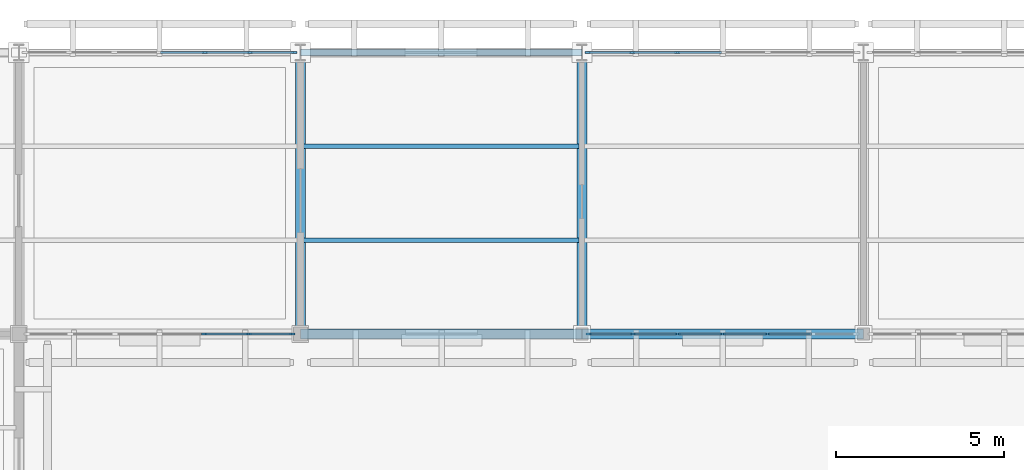
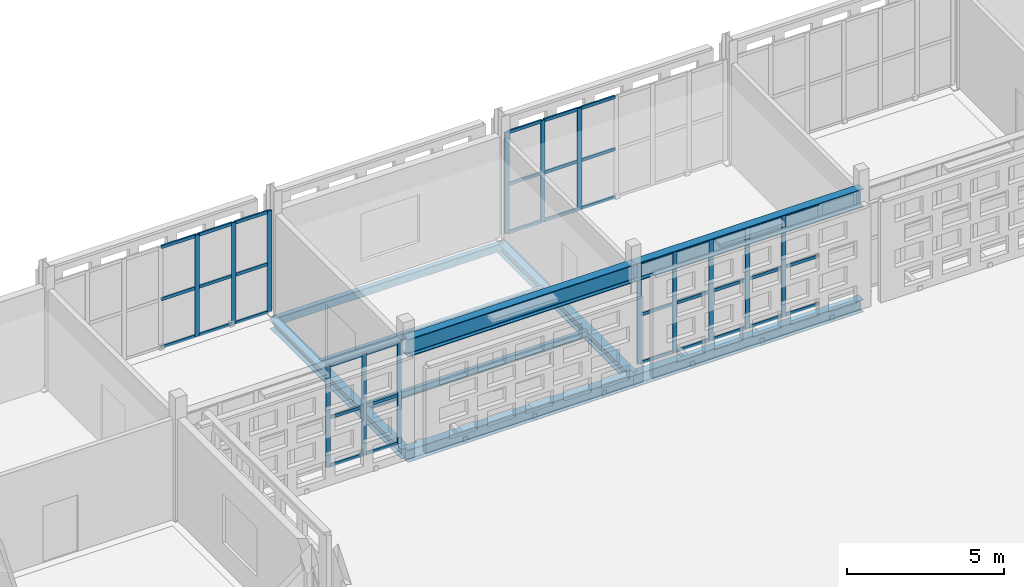
# One storey, part 59 of 203: 53 members, 9 beams, 4 elements without a shape of their own.
"""IFC4 building model written with IfcOpenShell, lengths in metres."""

from ifc_helpers import new_model, si_unit, direction, frame, origin, origin_2d, place, context, subcontext, project, spatial, rectangle, hollow_rectangle, i_section, extrude, material, layer, layer_set, material_profile, profile_set, type_object, element, aggregate, save


model = new_model("IFC4")

# Units and contexts
model_context = context("Model", 3, precision=1e-05, world=origin(), true_north=direction((0.0, 1.0)))
body_context = subcontext(model_context, "Body", "Model", "MODEL_VIEW")
ifc_project = project(units=[si_unit("LENGTHUNIT", "METRE"), si_unit("AREAUNIT", "SQUARE_METRE"), si_unit("VOLUMEUNIT", "CUBIC_METRE"), si_unit("PLANEANGLEUNIT", "RADIAN"), si_unit("MASSUNIT", "GRAM", prefix="KILO")], contexts=[model_context])

# Site, building, storey
site_placement = place(None, origin())
site = spatial("IfcSite", under=ifc_project, at=site_placement, CompositionType="ELEMENT")
building_placement = place(site_placement, origin())
building = spatial("IfcBuilding", under=site, at=building_placement, Name="Varnapada Polytechnic", CompositionType="ELEMENT")
storey_placement = place(building_placement, frame((0.0, 0.0, 4.800048828125)))
storey = spatial("IfcBuildingStorey", under=building, at=storey_placement, Name="L01", CompositionType="ELEMENT", Elevation=4.800048828125)

# Beams
ifc_material_1 = material(Name="Steel S355", Category="steel")
ifc_material_profile_1 = material_profile(ifc_material_1, i_section(OverallWidth=0.300048828125, OverallDepth=0.68994140625, WebThickness=0.014404296875, FlangeThickness=0.027099609375, FilletRadius=0.027099609375, at=origin_2d()), Name="HEA 700")
ifc_profile_set_1 = profile_set([ifc_material_profile_1], Name="Steel S355")
beam_type_1 = type_object("IfcBeamType", Name="Heavy fabrication crane girder CR-03 (HEA 700)", PredefinedType="BEAM", material=ifc_profile_set_1)
beam_1_placement = place(storey_placement, frame((67.199951171875, 117.60009765625, 3.695068359375), z_axis=(1.0, 0.0, 0.0), x_axis=(0.0, 1.0, 0.0)))
element("IfcBeam", 1, at=beam_1_placement, inside=storey, type_object=beam_type_1, Name="Workshop bridge crane runway girder 9-10 line 15", PredefinedType="BEAM", context=body_context, shape_type="SweptSolid", body=[
    extrude(i_section(OverallWidth=0.300048828125, OverallDepth=0.68994140625, WebThickness=0.014404296875, FlangeThickness=0.027099609375, FilletRadius=0.027099609375, at=origin_2d()), origin(), (0.0, 0.0, 1.0), 8.400146484375),
])
beam_2_placement = place(storey_placement, frame((75.60009765625, 117.60009765625, 3.695068359375), z_axis=(1.0, 0.0, 0.0), x_axis=(0.0, 1.0, 0.0)))
element("IfcBeam", 2, at=beam_2_placement, inside=storey, type_object=beam_type_1, Name="Workshop bridge crane runway girder 10-11 line 15", PredefinedType="BEAM", context=body_context, shape_type="SweptSolid", body=[
    extrude(i_section(OverallWidth=0.300048828125, OverallDepth=0.68994140625, WebThickness=0.014404296875, FlangeThickness=0.027099609375, FilletRadius=0.027099609375, at=origin_2d()), origin(), (0.0, 0.0, 1.0), 8.39990234375),
])
ifc_material_profile_2 = material_profile(ifc_material_1, i_section(OverallWidth=0.135009765625, OverallDepth=0.27001953125, WebThickness=0.006591796875, FlangeThickness=0.01025390625, FilletRadius=0.014892578125, at=origin_2d()), Name="IPE 270")
ifc_profile_set_2 = profile_set([ifc_material_profile_2], Name="Steel S355")
beam_type_2 = type_object("IfcBeamType", Name="Mezzanine heavy steel joist SJ-03 (IPE 270)", PredefinedType="JOIST", material=ifc_profile_set_2)
for number, where, z_axis, x_axis, name in (
    (3, (67.280029296875, 120.39990234375, -0.39501953125), (1.0, 0.0, 0.0), (0.0, 1.0, 0.0), "L01 floor joist 9/15.1"),
    (4, (67.280029296875, 123.199951171875, -0.39501953125), (1.0, 0.0, 0.0), (0.0, 1.0, 0.0), "L01 floor joist 9/15.2"),
):
    element("IfcBeam", number, at=place(storey_placement, frame(where, z_axis=z_axis, x_axis=x_axis)), inside=storey, type_object=beam_type_2, Name=name, PredefinedType="JOIST", context=body_context, shape_type="SweptSolid", body=[
        extrude(i_section(OverallWidth=0.135009765625, OverallDepth=0.27001953125, WebThickness=0.006591796875, FlangeThickness=0.01025390625, FilletRadius=0.014892578125, at=origin_2d()), origin(), (0.0, 0.0, 1.0), 8.239990234375),
    ])

# Curtain wall, members
ifc_material_2 = material(Name="Double low-E laminated glass", Category="glass")
ifc_layer = layer(ifc_material_2, 0.159912109375)
ifc_layer_set = layer_set([ifc_layer], Name="Double low-E laminated glass")
curtain_wall_type = type_object("IfcCurtainWallType", Name="Curtain Wall CW-02", PredefinedType="NOTDEFINED", material=ifc_layer_set)
curtain_wall_1_placement = place(storey_placement, origin())
curtain_wall_1 = element("IfcCurtainWall", 5, at=curtain_wall_1_placement, inside=storey, type_object=curtain_wall_type, Name="L01 unitised curtain wall CW-02 (59)", PredefinedType="NOTDEFINED")
ifc_material_3 = material(Name="Anodised aluminium", Category="aluminium")
ifc_material_profile_3 = material_profile(ifc_material_3, rectangle(XDim=0.06005859375, YDim=0.159912109375, at=origin_2d()), Name="ALU M60x160")
ifc_profile_set_3 = profile_set([ifc_material_profile_3], Name="Anodised aluminium")
member_type_1 = type_object("IfcMemberType", Name="Mullion M-01", PredefinedType="MULLION", material=ifc_profile_set_3)
member_1_placement = place(storey_placement, frame((66.9599609375, 117.60009765625, 0.0), z_axis=(0.0, 0.0, 1.0), x_axis=(0.0, -1.0, 0.0)))
member_1 = element("IfcMember", 6, at=member_1_placement, type_object=member_type_1, Name="CW-02 mullion 1", PredefinedType="MULLION", context=body_context, shape_type="SweptSolid", body=[
    extrude(rectangle(XDim=0.06005859375, YDim=0.159912109375, at=origin_2d()), origin(), (0.0, 0.0, 1.0), 3.9599609375),
])
member_2_placement = place(storey_placement, frame((65.659912109375, 117.60009765625, 0.0), z_axis=(0.0, 0.0, 1.0), x_axis=(0.0, -1.0, 0.0)))
member_2 = element("IfcMember", 7, at=member_2_placement, type_object=member_type_1, Name="CW-02 mullion 2", PredefinedType="MULLION", context=body_context, shape_type="SweptSolid", body=[
    extrude(rectangle(XDim=0.06005859375, YDim=0.159912109375, at=origin_2d()), origin(), (0.0, 0.0, 1.0), 3.9599609375),
])
member_3_placement = place(storey_placement, frame((64.330078125, 117.60009765625, 0.0), z_axis=(0.0, 0.0, 1.0), x_axis=(0.0, -1.0, 0.0)))
member_3 = element("IfcMember", 8, at=member_3_placement, type_object=member_type_1, Name="CW-02 mullion 3", PredefinedType="MULLION", context=body_context, shape_type="SweptSolid", body=[
    extrude(rectangle(XDim=0.06005859375, YDim=0.159912109375, at=origin_2d()), origin(), (0.0, 0.0, 1.0), 3.9599609375),
])

curtain_wall_2_placement = place(storey_placement, origin())
curtain_wall_2 = element("IfcCurtainWall", 9, at=curtain_wall_2_placement, inside=storey, type_object=curtain_wall_type, Name="L01 unitised curtain wall CW-02 (60)", PredefinedType="NOTDEFINED")
member_4_placement = place(storey_placement, frame((64.35009765625, 126.0, 0.0), z_axis=(0.0, 0.0, 1.0), x_axis=(0.0, 1.0, 0.0)))
member_4 = element("IfcMember", 10, at=member_4_placement, type_object=member_type_1, Name="CW-02 mullion 5", PredefinedType="MULLION", context=body_context, shape_type="SweptSolid", body=[
    extrude(rectangle(XDim=0.06005859375, YDim=0.159912109375, at=origin_2d()), origin(), (0.0, 0.0, 1.0), 3.9599609375),
])
member_5_placement = place(storey_placement, frame((65.699951171875, 126.0, 0.0), z_axis=(0.0, 0.0, 1.0), x_axis=(0.0, 1.0, 0.0)))
member_5 = element("IfcMember", 11, at=member_5_placement, type_object=member_type_1, Name="CW-02 mullion 6", PredefinedType="MULLION", context=body_context, shape_type="SweptSolid", body=[
    extrude(rectangle(XDim=0.06005859375, YDim=0.159912109375, at=origin_2d()), origin(), (0.0, 0.0, 1.0), 3.9599609375),
])
member_6_placement = place(storey_placement, frame((67.02001953125, 126.0, 0.0), z_axis=(0.0, 0.0, 1.0), x_axis=(0.0, 1.0, 0.0)))
member_6 = element("IfcMember", 12, at=member_6_placement, type_object=member_type_1, Name="CW-02 mullion 7", PredefinedType="MULLION", context=body_context, shape_type="SweptSolid", body=[
    extrude(rectangle(XDim=0.06005859375, YDim=0.159912109375, at=origin_2d()), origin(), (0.0, 0.0, 1.0), 3.9599609375),
])

curtain_wall_3_placement = place(storey_placement, origin())
curtain_wall_3 = element("IfcCurtainWall", 13, at=curtain_wall_3_placement, inside=storey, type_object=curtain_wall_type, Name="L01 unitised curtain wall CW-02 (67)", PredefinedType="NOTDEFINED")
member_7_placement = place(storey_placement, frame((81.139892578125, 117.60009765625, 0.0), z_axis=(0.0, 0.0, 1.0), x_axis=(0.0, -1.0, 0.0)))
member_7 = element("IfcMember", 14, at=member_7_placement, type_object=member_type_1, Name="CW-02 mullion 3", PredefinedType="MULLION", context=body_context, shape_type="SweptSolid", body=[
    extrude(rectangle(XDim=0.06005859375, YDim=0.159912109375, at=origin_2d()), origin(), (0.0, 0.0, 1.0), 3.9599609375),
])
member_8_placement = place(storey_placement, frame((79.800048828125, 117.60009765625, 0.0), z_axis=(0.0, 0.0, 1.0), x_axis=(0.0, -1.0, 0.0)))
member_8 = element("IfcMember", 15, at=member_8_placement, type_object=member_type_1, Name="CW-02 mullion 4", PredefinedType="MULLION", context=body_context, shape_type="SweptSolid", body=[
    extrude(rectangle(XDim=0.06005859375, YDim=0.159912109375, at=origin_2d()), origin(), (0.0, 0.0, 1.0), 3.9599609375),
])
member_9_placement = place(storey_placement, frame((78.4599609375, 117.60009765625, 0.0), z_axis=(0.0, 0.0, 1.0), x_axis=(0.0, -1.0, 0.0)))
member_9 = element("IfcMember", 16, at=member_9_placement, type_object=member_type_1, Name="CW-02 mullion 5", PredefinedType="MULLION", context=body_context, shape_type="SweptSolid", body=[
    extrude(rectangle(XDim=0.06005859375, YDim=0.159912109375, at=origin_2d()), origin(), (0.0, 0.0, 1.0), 3.9599609375),
])
member_10_placement = place(storey_placement, frame((77.1201171875, 117.60009765625, 0.0), z_axis=(0.0, 0.0, 1.0), x_axis=(0.0, -1.0, 0.0)))
member_10 = element("IfcMember", 17, at=member_10_placement, type_object=member_type_1, Name="CW-02 mullion 6", PredefinedType="MULLION", context=body_context, shape_type="SweptSolid", body=[
    extrude(rectangle(XDim=0.06005859375, YDim=0.159912109375, at=origin_2d()), origin(), (0.0, 0.0, 1.0), 3.9599609375),
])
member_11_placement = place(storey_placement, frame((75.81005859375, 117.60009765625, 0.0), z_axis=(0.0, 0.0, 1.0), x_axis=(0.0, -1.0, 0.0)))
member_11 = element("IfcMember", 18, at=member_11_placement, type_object=member_type_1, Name="CW-02 mullion 7", PredefinedType="MULLION", context=body_context, shape_type="SweptSolid", body=[
    extrude(rectangle(XDim=0.06005859375, YDim=0.159912109375, at=origin_2d()), origin(), (0.0, 0.0, 1.0), 3.9599609375),
])

curtain_wall_4_placement = place(storey_placement, origin())
curtain_wall_4 = element("IfcCurtainWall", 19, at=curtain_wall_4_placement, inside=storey, type_object=curtain_wall_type, Name="L01 unitised curtain wall CW-02 (68)", PredefinedType="NOTDEFINED")
member_12_placement = place(storey_placement, frame((75.780029296875, 126.0, 0.0), z_axis=(0.0, 0.0, 1.0), x_axis=(0.0, 1.0, 0.0)))
member_12 = element("IfcMember", 20, at=member_12_placement, type_object=member_type_1, Name="CW-02 mullion 1", PredefinedType="MULLION", context=body_context, shape_type="SweptSolid", body=[
    extrude(rectangle(XDim=0.06005859375, YDim=0.159912109375, at=origin_2d()), origin(), (0.0, 0.0, 1.0), 3.9599609375),
])
member_13_placement = place(storey_placement, frame((77.10009765625, 126.0, 0.0), z_axis=(0.0, 0.0, 1.0), x_axis=(0.0, 1.0, 0.0)))
member_13 = element("IfcMember", 21, at=member_13_placement, type_object=member_type_1, Name="CW-02 mullion 2", PredefinedType="MULLION", context=body_context, shape_type="SweptSolid", body=[
    extrude(rectangle(XDim=0.06005859375, YDim=0.159912109375, at=origin_2d()), origin(), (0.0, 0.0, 1.0), 3.9599609375),
])
member_14_placement = place(storey_placement, frame((78.449951171875, 126.0, 0.0), z_axis=(0.0, 0.0, 1.0), x_axis=(0.0, 1.0, 0.0)))
member_14 = element("IfcMember", 22, at=member_14_placement, type_object=member_type_1, Name="CW-02 mullion 3", PredefinedType="MULLION", context=body_context, shape_type="SweptSolid", body=[
    extrude(rectangle(XDim=0.06005859375, YDim=0.159912109375, at=origin_2d()), origin(), (0.0, 0.0, 1.0), 3.9599609375),
])

# Beams
ifc_material_profile_4 = material_profile(ifc_material_1, i_section(OverallWidth=0.300048828125, OverallDepth=0.389892578125, WebThickness=0.010986328125, FlangeThickness=0.01904296875, FilletRadius=0.027099609375, at=origin_2d()), Name="HEA 400")
ifc_profile_set_4 = profile_set([ifc_material_profile_4], Name="Steel S355")
beam_type_3 = type_object("IfcBeamType", Name="Steel roof primary girder SG-01 (HEA 400)", PredefinedType="BEAM", material=ifc_profile_set_4)
for number, where, z_axis, x_axis, name in (
    (23, (67.199951171875, 117.60009765625, -0.465087890625), (0.0, 1.0, 0.0), (-1.0, 0.0, 0.0), "L01 beam Y 15-16 at X9"),
    (24, (75.60009765625, 117.60009765625, -0.465087890625), (0.0, 1.0, 0.0), (-1.0, 0.0, 0.0), "L01 beam Y 15-16 at X10"),
):
    element("IfcBeam", number, at=place(storey_placement, frame(where, z_axis=z_axis, x_axis=x_axis)), inside=storey, type_object=beam_type_3, Name=name, PredefinedType="BEAM", context=body_context, shape_type="SweptSolid", body=[
        extrude(i_section(OverallWidth=0.300048828125, OverallDepth=0.389892578125, WebThickness=0.010986328125, FlangeThickness=0.01904296875, FilletRadius=0.027099609375, at=origin_2d()), origin(), (0.0, 0.0, 1.0), 8.39990234375),
    ])

# Member
ifc_material_profile_5 = material_profile(ifc_material_3, rectangle(XDim=0.06005859375, YDim=0.1201171875, at=origin_2d()), Name="ALU T60x120")
ifc_profile_set_5 = profile_set([ifc_material_profile_5], Name="Anodised aluminium")
member_type_2 = type_object("IfcMemberType", Name="Transom T-01", PredefinedType="USERDEFINED", material=ifc_profile_set_5)
member_15_placement = place(storey_placement, frame((66.929931640625, 117.60009765625, 0.030029296875), z_axis=(-1.0, 0.0, 0.0), x_axis=(0.0, -1.0, 0.0)))
member_15 = element("IfcMember", 25, at=member_15_placement, type_object=member_type_2, Name="CW-02 transom 1.1", ObjectType="TRANSOM", PredefinedType="USERDEFINED", context=body_context, shape_type="SweptSolid", body=[
    extrude(rectangle(XDim=0.06005859375, YDim=0.1201171875, at=origin_2d()), origin(), (0.0, 0.0, 1.0), 1.239990234375),
])

member_16_placement = place(storey_placement, frame((66.929931640625, 117.60009765625, 1.900634765625), z_axis=(-1.0, 0.0, 0.0), x_axis=(0.0, -1.0, 0.0)))
member_16 = element("IfcMember", 26, at=member_16_placement, type_object=member_type_2, Name="CW-02 transom 1.2", ObjectType="TRANSOM", PredefinedType="USERDEFINED", context=body_context, shape_type="SweptSolid", body=[
    extrude(rectangle(XDim=0.06005859375, YDim=0.1201171875, at=origin_2d()), origin(), (0.0, 0.0, 1.0), 1.239990234375),
])

member_17_placement = place(storey_placement, frame((66.929931640625, 117.60009765625, 3.929931640625), z_axis=(-1.0, 0.0, 0.0), x_axis=(0.0, -1.0, 0.0)))
member_17 = element("IfcMember", 27, at=member_17_placement, type_object=member_type_2, Name="CW-02 transom 1.3", ObjectType="TRANSOM", PredefinedType="USERDEFINED", context=body_context, shape_type="SweptSolid", body=[
    extrude(rectangle(XDim=0.06005859375, YDim=0.1201171875, at=origin_2d()), origin(), (0.0, 0.0, 1.0), 1.239990234375),
])

member_18_placement = place(storey_placement, frame((65.6298828125, 117.60009765625, 0.030029296875), z_axis=(-1.0, 0.0, 0.0), x_axis=(0.0, -1.0, 0.0)))
member_18 = element("IfcMember", 28, at=member_18_placement, type_object=member_type_2, Name="CW-02 transom 2.1", ObjectType="TRANSOM", PredefinedType="USERDEFINED", context=body_context, shape_type="SweptSolid", body=[
    extrude(rectangle(XDim=0.06005859375, YDim=0.1201171875, at=origin_2d()), origin(), (0.0, 0.0, 1.0), 1.269775390625),
])

member_19_placement = place(storey_placement, frame((65.6298828125, 117.60009765625, 1.900634765625), z_axis=(-1.0, 0.0, 0.0), x_axis=(0.0, -1.0, 0.0)))
member_19 = element("IfcMember", 29, at=member_19_placement, type_object=member_type_2, Name="CW-02 transom 2.2", ObjectType="TRANSOM", PredefinedType="USERDEFINED", context=body_context, shape_type="SweptSolid", body=[
    extrude(rectangle(XDim=0.06005859375, YDim=0.1201171875, at=origin_2d()), origin(), (0.0, 0.0, 1.0), 1.269775390625),
])

member_20_placement = place(storey_placement, frame((65.6298828125, 117.60009765625, 3.929931640625), z_axis=(-1.0, 0.0, 0.0), x_axis=(0.0, -1.0, 0.0)))
member_20 = element("IfcMember", 30, at=member_20_placement, type_object=member_type_2, Name="CW-02 transom 2.3", ObjectType="TRANSOM", PredefinedType="USERDEFINED", context=body_context, shape_type="SweptSolid", body=[
    extrude(rectangle(XDim=0.06005859375, YDim=0.1201171875, at=origin_2d()), origin(), (0.0, 0.0, 1.0), 1.269775390625),
])

aggregate(curtain_wall_1, [member_1, member_2, member_3, member_15, member_16, member_17, member_18, member_19, member_20])

member_21_placement = place(storey_placement, frame((63.030029296875, 126.0, 0.030029296875), z_axis=(1.0, 0.0, 0.0), x_axis=(0.0, 1.0, 0.0)))
member_21 = element("IfcMember", 31, at=member_21_placement, type_object=member_type_2, Name="CW-02 transom 4.1", ObjectType="TRANSOM", PredefinedType="USERDEFINED", context=body_context, shape_type="SweptSolid", body=[
    extrude(rectangle(XDim=0.06005859375, YDim=0.1201171875, at=origin_2d()), origin(), (0.0, 0.0, 1.0), 1.2900390625),
])

member_22_placement = place(storey_placement, frame((63.030029296875, 126.0, 1.900634765625), z_axis=(1.0, 0.0, 0.0), x_axis=(0.0, 1.0, 0.0)))
member_22 = element("IfcMember", 32, at=member_22_placement, type_object=member_type_2, Name="CW-02 transom 4.2", ObjectType="TRANSOM", PredefinedType="USERDEFINED", context=body_context, shape_type="SweptSolid", body=[
    extrude(rectangle(XDim=0.06005859375, YDim=0.1201171875, at=origin_2d()), origin(), (0.0, 0.0, 1.0), 1.2900390625),
])

member_23_placement = place(storey_placement, frame((63.030029296875, 126.0, 3.929931640625), z_axis=(1.0, 0.0, 0.0), x_axis=(0.0, 1.0, 0.0)))
member_23 = element("IfcMember", 33, at=member_23_placement, type_object=member_type_2, Name="CW-02 transom 4.3", ObjectType="TRANSOM", PredefinedType="USERDEFINED", context=body_context, shape_type="SweptSolid", body=[
    extrude(rectangle(XDim=0.06005859375, YDim=0.1201171875, at=origin_2d()), origin(), (0.0, 0.0, 1.0), 1.2900390625),
])

member_24_placement = place(storey_placement, frame((64.3798828125, 126.0, 0.030029296875), z_axis=(1.0, 0.0, 0.0), x_axis=(0.0, 1.0, 0.0)))
member_24 = element("IfcMember", 34, at=member_24_placement, type_object=member_type_2, Name="CW-02 transom 5.1", ObjectType="TRANSOM", PredefinedType="USERDEFINED", context=body_context, shape_type="SweptSolid", body=[
    extrude(rectangle(XDim=0.06005859375, YDim=0.1201171875, at=origin_2d()), origin(), (0.0, 0.0, 1.0), 1.2900390625),
])

member_25_placement = place(storey_placement, frame((64.3798828125, 126.0, 1.900634765625), z_axis=(1.0, 0.0, 0.0), x_axis=(0.0, 1.0, 0.0)))
member_25 = element("IfcMember", 35, at=member_25_placement, type_object=member_type_2, Name="CW-02 transom 5.2", ObjectType="TRANSOM", PredefinedType="USERDEFINED", context=body_context, shape_type="SweptSolid", body=[
    extrude(rectangle(XDim=0.06005859375, YDim=0.1201171875, at=origin_2d()), origin(), (0.0, 0.0, 1.0), 1.2900390625),
])

member_26_placement = place(storey_placement, frame((64.3798828125, 126.0, 3.929931640625), z_axis=(1.0, 0.0, 0.0), x_axis=(0.0, 1.0, 0.0)))
member_26 = element("IfcMember", 36, at=member_26_placement, type_object=member_type_2, Name="CW-02 transom 5.3", ObjectType="TRANSOM", PredefinedType="USERDEFINED", context=body_context, shape_type="SweptSolid", body=[
    extrude(rectangle(XDim=0.06005859375, YDim=0.1201171875, at=origin_2d()), origin(), (0.0, 0.0, 1.0), 1.2900390625),
])

member_27_placement = place(storey_placement, frame((65.72998046875, 126.0, 0.030029296875), z_axis=(1.0, 0.0, 0.0), x_axis=(0.0, 1.0, 0.0)))
member_27 = element("IfcMember", 37, at=member_27_placement, type_object=member_type_2, Name="CW-02 transom 6.1", ObjectType="TRANSOM", PredefinedType="USERDEFINED", context=body_context, shape_type="SweptSolid", body=[
    extrude(rectangle(XDim=0.06005859375, YDim=0.1201171875, at=origin_2d()), origin(), (0.0, 0.0, 1.0), 1.260009765625),
])

member_28_placement = place(storey_placement, frame((65.72998046875, 126.0, 1.900634765625), z_axis=(1.0, 0.0, 0.0), x_axis=(0.0, 1.0, 0.0)))
member_28 = element("IfcMember", 38, at=member_28_placement, type_object=member_type_2, Name="CW-02 transom 6.2", ObjectType="TRANSOM", PredefinedType="USERDEFINED", context=body_context, shape_type="SweptSolid", body=[
    extrude(rectangle(XDim=0.06005859375, YDim=0.1201171875, at=origin_2d()), origin(), (0.0, 0.0, 1.0), 1.260009765625),
])

member_29_placement = place(storey_placement, frame((65.72998046875, 126.0, 3.929931640625), z_axis=(1.0, 0.0, 0.0), x_axis=(0.0, 1.0, 0.0)))
member_29 = element("IfcMember", 39, at=member_29_placement, type_object=member_type_2, Name="CW-02 transom 6.3", ObjectType="TRANSOM", PredefinedType="USERDEFINED", context=body_context, shape_type="SweptSolid", body=[
    extrude(rectangle(XDim=0.06005859375, YDim=0.1201171875, at=origin_2d()), origin(), (0.0, 0.0, 1.0), 1.260009765625),
])

aggregate(curtain_wall_2, [member_4, member_5, member_6, member_21, member_22, member_23, member_24, member_25, member_26, member_27, member_28, member_29])

member_30_placement = place(storey_placement, frame((82.449951171875, 117.60009765625, 0.030029296875), z_axis=(-1.0, 0.0, 0.0), x_axis=(0.0, -1.0, 0.0)))
member_30 = element("IfcMember", 40, at=member_30_placement, type_object=member_type_2, Name="CW-02 transom 2.1", ObjectType="TRANSOM", PredefinedType="USERDEFINED", context=body_context, shape_type="SweptSolid", body=[
    extrude(rectangle(XDim=0.06005859375, YDim=0.1201171875, at=origin_2d()), origin(), (0.0, 0.0, 1.0), 1.280029296875),
])

member_31_placement = place(storey_placement, frame((82.449951171875, 117.60009765625, 1.900634765625), z_axis=(-1.0, 0.0, 0.0), x_axis=(0.0, -1.0, 0.0)))
member_31 = element("IfcMember", 41, at=member_31_placement, type_object=member_type_2, Name="CW-02 transom 2.2", ObjectType="TRANSOM", PredefinedType="USERDEFINED", context=body_context, shape_type="SweptSolid", body=[
    extrude(rectangle(XDim=0.06005859375, YDim=0.1201171875, at=origin_2d()), origin(), (0.0, 0.0, 1.0), 1.280029296875),
])

member_32_placement = place(storey_placement, frame((82.449951171875, 117.60009765625, 3.929931640625), z_axis=(-1.0, 0.0, 0.0), x_axis=(0.0, -1.0, 0.0)))
member_32 = element("IfcMember", 42, at=member_32_placement, type_object=member_type_2, Name="CW-02 transom 2.3", ObjectType="TRANSOM", PredefinedType="USERDEFINED", context=body_context, shape_type="SweptSolid", body=[
    extrude(rectangle(XDim=0.06005859375, YDim=0.1201171875, at=origin_2d()), origin(), (0.0, 0.0, 1.0), 1.280029296875),
])

member_33_placement = place(storey_placement, frame((81.110107421875, 117.60009765625, 0.030029296875), z_axis=(-1.0, 0.0, 0.0), x_axis=(0.0, -1.0, 0.0)))
member_33 = element("IfcMember", 43, at=member_33_placement, type_object=member_type_2, Name="CW-02 transom 3.1", ObjectType="TRANSOM", PredefinedType="USERDEFINED", context=body_context, shape_type="SweptSolid", body=[
    extrude(rectangle(XDim=0.06005859375, YDim=0.1201171875, at=origin_2d()), origin(), (0.0, 0.0, 1.0), 1.280029296875),
])

member_34_placement = place(storey_placement, frame((81.110107421875, 117.60009765625, 1.900634765625), z_axis=(-1.0, 0.0, 0.0), x_axis=(0.0, -1.0, 0.0)))
member_34 = element("IfcMember", 44, at=member_34_placement, type_object=member_type_2, Name="CW-02 transom 3.2", ObjectType="TRANSOM", PredefinedType="USERDEFINED", context=body_context, shape_type="SweptSolid", body=[
    extrude(rectangle(XDim=0.06005859375, YDim=0.1201171875, at=origin_2d()), origin(), (0.0, 0.0, 1.0), 1.280029296875),
])

member_35_placement = place(storey_placement, frame((81.110107421875, 117.60009765625, 3.929931640625), z_axis=(-1.0, 0.0, 0.0), x_axis=(0.0, -1.0, 0.0)))
member_35 = element("IfcMember", 45, at=member_35_placement, type_object=member_type_2, Name="CW-02 transom 3.3", ObjectType="TRANSOM", PredefinedType="USERDEFINED", context=body_context, shape_type="SweptSolid", body=[
    extrude(rectangle(XDim=0.06005859375, YDim=0.1201171875, at=origin_2d()), origin(), (0.0, 0.0, 1.0), 1.280029296875),
])

member_36_placement = place(storey_placement, frame((79.77001953125, 117.60009765625, 0.030029296875), z_axis=(-1.0, 0.0, 0.0), x_axis=(0.0, -1.0, 0.0)))
member_36 = element("IfcMember", 46, at=member_36_placement, type_object=member_type_2, Name="CW-02 transom 4.1", ObjectType="TRANSOM", PredefinedType="USERDEFINED", context=body_context, shape_type="SweptSolid", body=[
    extrude(rectangle(XDim=0.06005859375, YDim=0.1201171875, at=origin_2d()), origin(), (0.0, 0.0, 1.0), 1.280029296875),
])

member_37_placement = place(storey_placement, frame((79.77001953125, 117.60009765625, 1.900634765625), z_axis=(-1.0, 0.0, 0.0), x_axis=(0.0, -1.0, 0.0)))
member_37 = element("IfcMember", 47, at=member_37_placement, type_object=member_type_2, Name="CW-02 transom 4.2", ObjectType="TRANSOM", PredefinedType="USERDEFINED", context=body_context, shape_type="SweptSolid", body=[
    extrude(rectangle(XDim=0.06005859375, YDim=0.1201171875, at=origin_2d()), origin(), (0.0, 0.0, 1.0), 1.280029296875),
])

member_38_placement = place(storey_placement, frame((79.77001953125, 117.60009765625, 3.929931640625), z_axis=(-1.0, 0.0, 0.0), x_axis=(0.0, -1.0, 0.0)))
member_38 = element("IfcMember", 48, at=member_38_placement, type_object=member_type_2, Name="CW-02 transom 4.3", ObjectType="TRANSOM", PredefinedType="USERDEFINED", context=body_context, shape_type="SweptSolid", body=[
    extrude(rectangle(XDim=0.06005859375, YDim=0.1201171875, at=origin_2d()), origin(), (0.0, 0.0, 1.0), 1.280029296875),
])

member_39_placement = place(storey_placement, frame((78.429931640625, 117.60009765625, 0.030029296875), z_axis=(-1.0, 0.0, 0.0), x_axis=(0.0, -1.0, 0.0)))
member_39 = element("IfcMember", 49, at=member_39_placement, type_object=member_type_2, Name="CW-02 transom 5.1", ObjectType="TRANSOM", PredefinedType="USERDEFINED", context=body_context, shape_type="SweptSolid", body=[
    extrude(rectangle(XDim=0.06005859375, YDim=0.1201171875, at=origin_2d()), origin(), (0.0, 0.0, 1.0), 1.280029296875),
])

member_40_placement = place(storey_placement, frame((78.429931640625, 117.60009765625, 1.900634765625), z_axis=(-1.0, 0.0, 0.0), x_axis=(0.0, -1.0, 0.0)))
member_40 = element("IfcMember", 50, at=member_40_placement, type_object=member_type_2, Name="CW-02 transom 5.2", ObjectType="TRANSOM", PredefinedType="USERDEFINED", context=body_context, shape_type="SweptSolid", body=[
    extrude(rectangle(XDim=0.06005859375, YDim=0.1201171875, at=origin_2d()), origin(), (0.0, 0.0, 1.0), 1.280029296875),
])

member_41_placement = place(storey_placement, frame((78.429931640625, 117.60009765625, 3.929931640625), z_axis=(-1.0, 0.0, 0.0), x_axis=(0.0, -1.0, 0.0)))
member_41 = element("IfcMember", 51, at=member_41_placement, type_object=member_type_2, Name="CW-02 transom 5.3", ObjectType="TRANSOM", PredefinedType="USERDEFINED", context=body_context, shape_type="SweptSolid", body=[
    extrude(rectangle(XDim=0.06005859375, YDim=0.1201171875, at=origin_2d()), origin(), (0.0, 0.0, 1.0), 1.280029296875),
])

member_42_placement = place(storey_placement, frame((77.090087890625, 117.60009765625, 0.030029296875), z_axis=(-1.0, 0.0, 0.0), x_axis=(0.0, -1.0, 0.0)))
member_42 = element("IfcMember", 52, at=member_42_placement, type_object=member_type_2, Name="CW-02 transom 6.1", ObjectType="TRANSOM", PredefinedType="USERDEFINED", context=body_context, shape_type="SweptSolid", body=[
    extrude(rectangle(XDim=0.06005859375, YDim=0.1201171875, at=origin_2d()), origin(), (0.0, 0.0, 1.0), 1.25),
])

member_43_placement = place(storey_placement, frame((77.090087890625, 117.60009765625, 1.900634765625), z_axis=(-1.0, 0.0, 0.0), x_axis=(0.0, -1.0, 0.0)))
member_43 = element("IfcMember", 53, at=member_43_placement, type_object=member_type_2, Name="CW-02 transom 6.2", ObjectType="TRANSOM", PredefinedType="USERDEFINED", context=body_context, shape_type="SweptSolid", body=[
    extrude(rectangle(XDim=0.06005859375, YDim=0.1201171875, at=origin_2d()), origin(), (0.0, 0.0, 1.0), 1.25),
])

member_44_placement = place(storey_placement, frame((77.090087890625, 117.60009765625, 3.929931640625), z_axis=(-1.0, 0.0, 0.0), x_axis=(0.0, -1.0, 0.0)))
member_44 = element("IfcMember", 54, at=member_44_placement, type_object=member_type_2, Name="CW-02 transom 6.3", ObjectType="TRANSOM", PredefinedType="USERDEFINED", context=body_context, shape_type="SweptSolid", body=[
    extrude(rectangle(XDim=0.06005859375, YDim=0.1201171875, at=origin_2d()), origin(), (0.0, 0.0, 1.0), 1.25),
])

aggregate(curtain_wall_3, [member_7, member_8, member_9, member_10, member_11, member_30, member_31, member_32, member_33, member_34, member_35, member_36, member_37, member_38, member_39, member_40, member_41, member_42, member_43, member_44])

member_45_placement = place(storey_placement, frame((75.81005859375, 126.0, 0.030029296875), z_axis=(1.0, 0.0, 0.0), x_axis=(0.0, 1.0, 0.0)))
member_45 = element("IfcMember", 55, at=member_45_placement, type_object=member_type_2, Name="CW-02 transom 1.1", ObjectType="TRANSOM", PredefinedType="USERDEFINED", context=body_context, shape_type="SweptSolid", body=[
    extrude(rectangle(XDim=0.06005859375, YDim=0.1201171875, at=origin_2d()), origin(), (0.0, 0.0, 1.0), 1.260009765625),
])

member_46_placement = place(storey_placement, frame((75.81005859375, 126.0, 1.900634765625), z_axis=(1.0, 0.0, 0.0), x_axis=(0.0, 1.0, 0.0)))
member_46 = element("IfcMember", 56, at=member_46_placement, type_object=member_type_2, Name="CW-02 transom 1.2", ObjectType="TRANSOM", PredefinedType="USERDEFINED", context=body_context, shape_type="SweptSolid", body=[
    extrude(rectangle(XDim=0.06005859375, YDim=0.1201171875, at=origin_2d()), origin(), (0.0, 0.0, 1.0), 1.260009765625),
])

member_47_placement = place(storey_placement, frame((75.81005859375, 126.0, 3.929931640625), z_axis=(1.0, 0.0, 0.0), x_axis=(0.0, 1.0, 0.0)))
member_47 = element("IfcMember", 57, at=member_47_placement, type_object=member_type_2, Name="CW-02 transom 1.3", ObjectType="TRANSOM", PredefinedType="USERDEFINED", context=body_context, shape_type="SweptSolid", body=[
    extrude(rectangle(XDim=0.06005859375, YDim=0.1201171875, at=origin_2d()), origin(), (0.0, 0.0, 1.0), 1.260009765625),
])

member_48_placement = place(storey_placement, frame((77.1298828125, 126.0, 0.030029296875), z_axis=(1.0, 0.0, 0.0), x_axis=(0.0, 1.0, 0.0)))
member_48 = element("IfcMember", 58, at=member_48_placement, type_object=member_type_2, Name="CW-02 transom 2.1", ObjectType="TRANSOM", PredefinedType="USERDEFINED", context=body_context, shape_type="SweptSolid", body=[
    extrude(rectangle(XDim=0.06005859375, YDim=0.1201171875, at=origin_2d()), origin(), (0.0, 0.0, 1.0), 1.2900390625),
])

member_49_placement = place(storey_placement, frame((77.1298828125, 126.0, 1.900634765625), z_axis=(1.0, 0.0, 0.0), x_axis=(0.0, 1.0, 0.0)))
member_49 = element("IfcMember", 59, at=member_49_placement, type_object=member_type_2, Name="CW-02 transom 2.2", ObjectType="TRANSOM", PredefinedType="USERDEFINED", context=body_context, shape_type="SweptSolid", body=[
    extrude(rectangle(XDim=0.06005859375, YDim=0.1201171875, at=origin_2d()), origin(), (0.0, 0.0, 1.0), 1.2900390625),
])

member_50_placement = place(storey_placement, frame((77.1298828125, 126.0, 3.929931640625), z_axis=(1.0, 0.0, 0.0), x_axis=(0.0, 1.0, 0.0)))
member_50 = element("IfcMember", 60, at=member_50_placement, type_object=member_type_2, Name="CW-02 transom 2.3", ObjectType="TRANSOM", PredefinedType="USERDEFINED", context=body_context, shape_type="SweptSolid", body=[
    extrude(rectangle(XDim=0.06005859375, YDim=0.1201171875, at=origin_2d()), origin(), (0.0, 0.0, 1.0), 1.2900390625),
])

member_51_placement = place(storey_placement, frame((78.47998046875, 126.0, 0.030029296875), z_axis=(1.0, 0.0, 0.0), x_axis=(0.0, 1.0, 0.0)))
member_51 = element("IfcMember", 61, at=member_51_placement, type_object=member_type_2, Name="CW-02 transom 3.1", ObjectType="TRANSOM", PredefinedType="USERDEFINED", context=body_context, shape_type="SweptSolid", body=[
    extrude(rectangle(XDim=0.06005859375, YDim=0.1201171875, at=origin_2d()), origin(), (0.0, 0.0, 1.0), 1.2900390625),
])

member_52_placement = place(storey_placement, frame((78.47998046875, 126.0, 1.900634765625), z_axis=(1.0, 0.0, 0.0), x_axis=(0.0, 1.0, 0.0)))
member_52 = element("IfcMember", 62, at=member_52_placement, type_object=member_type_2, Name="CW-02 transom 3.2", ObjectType="TRANSOM", PredefinedType="USERDEFINED", context=body_context, shape_type="SweptSolid", body=[
    extrude(rectangle(XDim=0.06005859375, YDim=0.1201171875, at=origin_2d()), origin(), (0.0, 0.0, 1.0), 1.2900390625),
])

member_53_placement = place(storey_placement, frame((78.47998046875, 126.0, 3.929931640625), z_axis=(1.0, 0.0, 0.0), x_axis=(0.0, 1.0, 0.0)))
member_53 = element("IfcMember", 63, at=member_53_placement, type_object=member_type_2, Name="CW-02 transom 3.3", ObjectType="TRANSOM", PredefinedType="USERDEFINED", context=body_context, shape_type="SweptSolid", body=[
    extrude(rectangle(XDim=0.06005859375, YDim=0.1201171875, at=origin_2d()), origin(), (0.0, 0.0, 1.0), 1.2900390625),
])

aggregate(curtain_wall_4, [member_12, member_13, member_14, member_45, member_46, member_47, member_48, member_49, member_50, member_51, member_52, member_53])

# Beams
ifc_material_profile_6 = material_profile(ifc_material_1, i_section(OverallWidth=0.300048828125, OverallDepth=0.489990234375, WebThickness=0.011962890625, FlangeThickness=0.02294921875, FilletRadius=0.027099609375, at=origin_2d()), Name="HEA 500")
ifc_profile_set_6 = profile_set([ifc_material_profile_6], Name="Steel S355")
beam_type_4 = type_object("IfcBeamType", Name="Workshop gallery edge girder CR-02 (HEA 500)", PredefinedType="BEAM", material=ifc_profile_set_6)
beam_3_placement = place(storey_placement, frame((67.199951171875, 117.60009765625, -0.51513671875), z_axis=(1.0, 0.0, 0.0), x_axis=(0.0, 1.0, 0.0)))
element("IfcBeam", 64, at=beam_3_placement, inside=storey, type_object=beam_type_4, Name="L01 beam X 9-10 at Y15", PredefinedType="BEAM", context=body_context, shape_type="SweptSolid", body=[
    extrude(i_section(OverallWidth=0.300048828125, OverallDepth=0.489990234375, WebThickness=0.011962890625, FlangeThickness=0.02294921875, FilletRadius=0.027099609375, at=origin_2d()), origin(), (0.0, 0.0, 1.0), 8.400146484375),
])
beam_4_placement = place(storey_placement, frame((75.60009765625, 117.60009765625, -0.51513671875), z_axis=(1.0, 0.0, 0.0), x_axis=(0.0, 1.0, 0.0)))
element("IfcBeam", 65, at=beam_4_placement, inside=storey, type_object=beam_type_4, Name="L01 beam X 10-11 at Y15", PredefinedType="BEAM", context=body_context, shape_type="SweptSolid", body=[
    extrude(i_section(OverallWidth=0.300048828125, OverallDepth=0.489990234375, WebThickness=0.011962890625, FlangeThickness=0.02294921875, FilletRadius=0.027099609375, at=origin_2d()), origin(), (0.0, 0.0, 1.0), 8.39990234375),
])
ifc_material_profile_7 = material_profile(ifc_material_1, hollow_rectangle(XDim=0.199951171875, YDim=0.300048828125, WallThickness=0.010009765625, InnerFilletRadius=0.010009765625, OuterFilletRadius=0.02001953125, at=origin_2d()), Name="RHS 300x200x10")
ifc_profile_set_7 = profile_set([ifc_material_profile_7], Name="Steel S355")
beam_type_5 = type_object("IfcBeamType", Name="Workshop steel spandrel tie SP-03 (RHS 300x200x10)", PredefinedType="SPANDREL", material=ifc_profile_set_7)
beam_5_placement = place(storey_placement, frame((67.199951171875, 126.0, -0.41015625), z_axis=(1.0, 0.0, 0.0), x_axis=(0.0, 1.0, 0.0)))
element("IfcBeam", 66, at=beam_5_placement, inside=storey, type_object=beam_type_5, Name="L01 beam X 9-10 at Y16", PredefinedType="SPANDREL", context=body_context, shape_type="SweptSolid", body=[
    extrude(hollow_rectangle(XDim=0.199951171875, YDim=0.300048828125, WallThickness=0.010009765625, InnerFilletRadius=0.010009765625, OuterFilletRadius=0.02001953125, at=origin_2d()), origin(), (0.0, 0.0, 1.0), 8.400146484375),
])

save(model, "model.ifc")
